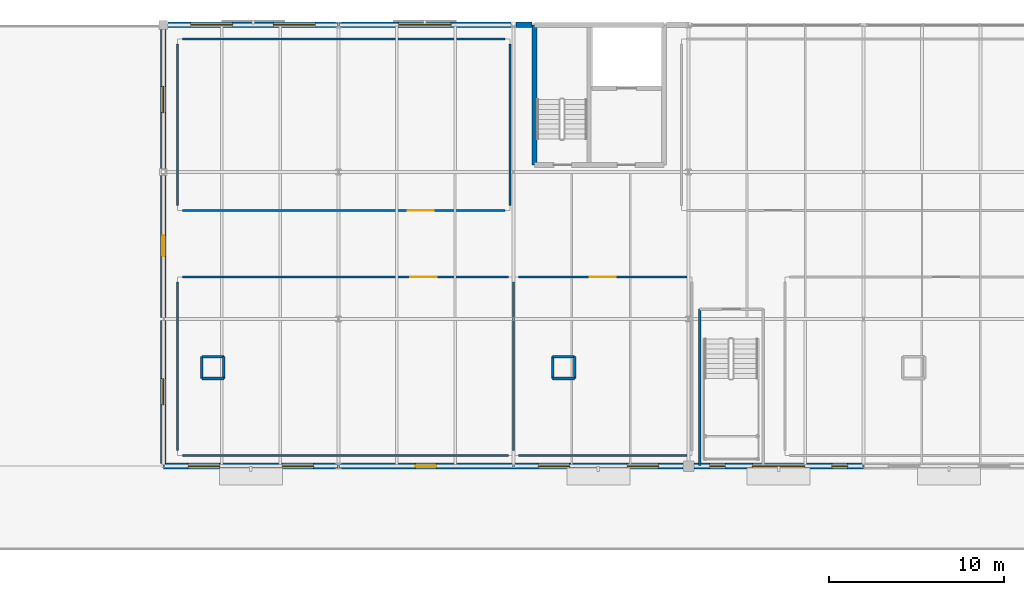
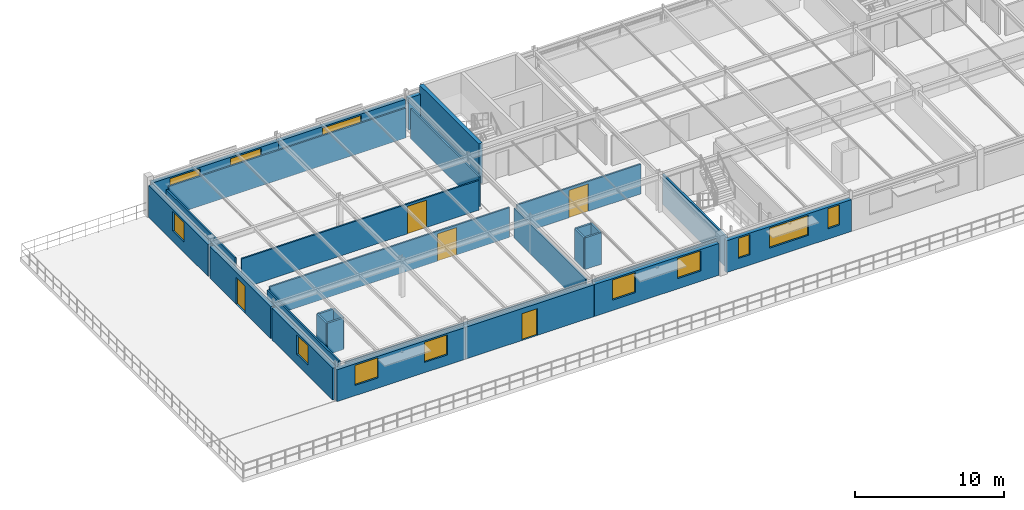
# One storey, part 16 of 23: 30 walls, 12 windows, 5 doors, 17 openings.
"""IFC4 building model written with IfcOpenShell, lengths in metres."""

from ifc_helpers import new_model, si_unit, derived_unit, direction, frame, frame_2d, origin, place, context, subcontext, project, spatial, rectangle, extrude, material, layer, layer_set, type_object, element, fill, save


model = new_model("IFC4")

# Units and contexts
model_context = context("Model", 3, precision=1e-05, world=origin(), true_north=direction((0.0, 1.0)))
body_context = subcontext(model_context, "Body", "Model", "MODEL_VIEW")
ifc_project = project(units=[si_unit("LENGTHUNIT", "METRE"), si_unit("AREAUNIT", "SQUARE_METRE"), si_unit("VOLUMEUNIT", "CUBIC_METRE"), si_unit("PLANEANGLEUNIT", "RADIAN"), si_unit("MASSUNIT", "GRAM", prefix="KILO"), derived_unit("THERMALTRANSMITTANCEUNIT", [(si_unit("POWERUNIT", "WATT"), 1), (si_unit("LENGTHUNIT", "METRE"), -2), (si_unit("THERMODYNAMICTEMPERATUREUNIT", "KELVIN"), -1)])], contexts=[model_context])

# Site, building, storey
site_placement = place(None, origin())
site = spatial("IfcSite", under=ifc_project, at=site_placement, CompositionType="ELEMENT")
building_placement = place(site_placement, origin())
building = spatial("IfcBuilding", under=site, at=building_placement, Name="Cinnabar Yard Market Hall", CompositionType="ELEMENT")
storey_placement = place(building_placement, frame((0.0, 0.0, 12.0)))
storey = spatial("IfcBuildingStorey", under=building, at=storey_placement, Name="L03", CompositionType="ELEMENT", Elevation=12.0)

# Walls
ifc_material_1 = material(Name="Acoustic steel-stud plasterboard", Category="steel")
ifc_layer_1 = layer(ifc_material_1, 0.1201171875)
ifc_layer_set_1 = layer_set([ifc_layer_1], Name="Acoustic steel-stud plasterboard")
wall_type_1 = type_object("IfcWallType", Name="WL-PT120", PredefinedType="PARTITIONING", material=ifc_layer_set_1)
wall_1_placement = place(storey_placement, frame((77.080078125, 113.39990234375, 0.0), z_axis=(0.0, 0.0, 1.0), x_axis=(1.0, 0.0, 0.0)))
element("IfcWall", 1, at=wall_1_placement, inside=storey, type_object=wall_type_1, Name="Partition Regional Cooking Masterclass Studio 301 south", PredefinedType="PARTITIONING", context=body_context, shape_type="SweptSolid", body=[
    extrude(rectangle(XDim=18.639892578125, YDim=0.1201171875, at=frame_2d((9.31982421875, 0.0), x_axis=(1.0, 0.0))), origin(), (0.0, 0.0, 1.0), 2.449951171875),
])
wall_2_placement = place(storey_placement, frame((96.0, 113.679931640625, 0.0), z_axis=(0.0, 0.0, 1.0), x_axis=(0.0, 1.0, 0.0)))
element("IfcWall", 2, at=wall_2_placement, inside=storey, type_object=wall_type_1, Name="Partition Regional Cooking Masterclass Studio 301 east", PredefinedType="PARTITIONING", context=body_context, shape_type="SweptSolid", body=[
    extrude(rectangle(XDim=9.64013671875, YDim=0.1201171875, at=frame_2d((4.820068359375, 0.0), x_axis=(1.0, 0.0))), origin(), (0.0, 0.0, 1.0), 2.449951171875),
])

# Wall, opening, door
wall_3_placement = place(storey_placement, frame((95.719970703125, 123.60009765625, 0.0), z_axis=(0.0, 0.0, 1.0), x_axis=(-1.0, 0.0, 0.0)))
wall_3 = element("IfcWall", 3, at=wall_3_placement, inside=storey, type_object=wall_type_1, Name="Partition Regional Cooking Masterclass Studio 301 north", PredefinedType="PARTITIONING", context=body_context, shape_type="SweptSolid", body=[
    extrude(rectangle(XDim=18.639892578125, YDim=0.1201171875, at=frame_2d((9.31982421875, 0.0), x_axis=(1.0, 0.0))), origin(), (0.0, 0.0, 1.0), 2.449951171875),
])
opening_1_placement = place(wall_3_placement, frame((4.113525390625, 0.0, 0.0)))
opening_1 = element("IfcOpeningElement", 4, at=opening_1_placement, cuts=wall_3, Name="Opening ID-176", PredefinedType="OPENING", context=body_context, shape_type="SweptSolid", body=[
    extrude(rectangle(XDim=1.5, YDim=2.25, at=frame_2d((0.75, 1.125), x_axis=(1.0, 0.0))), frame((0.0, 0.070068359375, 0.0), z_axis=(0.0, -1.0, 0.0), x_axis=(1.0, 0.0, 0.0)), (0.0, 0.0, 1.0), 0.14013671875),
])
ifc_material_2 = material(Name="Spotted gum timber and vision glass", Category="wood")
door_type_1 = type_object("IfcDoorType", Name="DR-D08", OperationType="NOTDEFINED", PredefinedType="DOOR", material=ifc_material_2)
door_1_placement = place(opening_1_placement, origin())
door_1 = element("IfcDoor", 5, at=door_1_placement, inside=storey, type_object=door_type_1, Name="Interior Door ID-176", OperationType="DOUBLE_SWING_LEFT", OverallHeight=2.25, OverallWidth=1.5, PredefinedType="DOOR", context=body_context, shape_type="SweptSolid", body=[
    extrude(rectangle(XDim=1.5, YDim=2.25, at=frame_2d((0.75, 1.125), x_axis=(1.0, 0.0))), frame((0.0, 0.02490234375, 0.0), z_axis=(0.0, -1.0, 0.0), x_axis=(1.0, 0.0, 0.0)), (0.0, 0.0, 1.0), 0.050048828125),
])
fill(opening_1, door_1)

# Walls
wall_4_placement = place(storey_placement, frame((76.800048828125, 123.320068359375, 0.0), z_axis=(0.0, 0.0, 1.0), x_axis=(0.0, -1.0, 0.0)))
element("IfcWall", 6, at=wall_4_placement, inside=storey, type_object=wall_type_1, Name="Partition Regional Cooking Masterclass Studio 301 west", PredefinedType="PARTITIONING", context=body_context, shape_type="SweptSolid", body=[
    extrude(rectangle(XDim=9.64013671875, YDim=0.1201171875, at=frame_2d((4.820068359375, 0.0), x_axis=(1.0, 0.0))), origin(), (0.0, 0.0, 1.0), 2.449951171875),
])
wall_5_placement = place(storey_placement, frame((96.280029296875, 113.39990234375, 0.0), z_axis=(0.0, 0.0, 1.0), x_axis=(1.0, 0.0, 0.0)))
element("IfcWall", 7, at=wall_5_placement, inside=storey, type_object=wall_type_1, Name="Partition Spice and Open-Hearth Masterclass Studio 302 south", PredefinedType="PARTITIONING", context=body_context, shape_type="SweptSolid", body=[
    extrude(rectangle(XDim=9.639892578125, YDim=0.1201171875, at=frame_2d((4.81982421875, 0.0), x_axis=(1.0, 0.0))), origin(), (0.0, 0.0, 1.0), 2.449951171875),
])

# Wall, opening, door
wall_6_placement = place(storey_placement, frame((105.919921875, 123.60009765625, 0.0), z_axis=(0.0, 0.0, 1.0), x_axis=(-1.0, 0.0, 0.0)))
wall_6 = element("IfcWall", 8, at=wall_6_placement, inside=storey, type_object=wall_type_1, Name="Partition Spice and Open-Hearth Masterclass Studio 302 north", PredefinedType="PARTITIONING", context=body_context, shape_type="SweptSolid", body=[
    extrude(rectangle(XDim=9.639892578125, YDim=0.1201171875, at=frame_2d((4.81982421875, 0.0), x_axis=(1.0, 0.0))), origin(), (0.0, 0.0, 1.0), 2.449951171875),
])
opening_2_placement = place(wall_6_placement, frame((4.070068359375, 0.0, 0.0)))
opening_2 = element("IfcOpeningElement", 9, at=opening_2_placement, cuts=wall_6, Name="Opening ID-177", PredefinedType="OPENING", context=body_context, shape_type="SweptSolid", body=[
    extrude(rectangle(XDim=1.5, YDim=2.25, at=frame_2d((0.75, 1.125), x_axis=(1.0, 0.0))), frame((0.0, 0.070068359375, 0.0), z_axis=(0.0, -1.0, 0.0), x_axis=(1.0, 0.0, 0.0)), (0.0, 0.0, 1.0), 0.14013671875),
])
door_2_placement = place(opening_2_placement, origin())
door_2 = element("IfcDoor", 10, at=door_2_placement, inside=storey, type_object=door_type_1, Name="Interior Door ID-177", OperationType="DOUBLE_SWING_RIGHT", OverallHeight=2.25, OverallWidth=1.5, PredefinedType="DOOR", context=body_context, shape_type="SweptSolid", body=[
    extrude(rectangle(XDim=1.5, YDim=2.25, at=frame_2d((0.75, 1.125), x_axis=(1.0, 0.0))), frame((0.0, 0.02490234375, 0.0), z_axis=(0.0, -1.0, 0.0), x_axis=(1.0, 0.0, 0.0)), (0.0, 0.0, 1.0), 0.050048828125),
])
fill(opening_2, door_2)

wall_7_placement = place(storey_placement, frame((77.080078125, 127.39990234375, 0.0), z_axis=(0.0, 0.0, 1.0), x_axis=(1.0, 0.0, 0.0)))
wall_7 = element("IfcWall", 11, at=wall_7_placement, inside=storey, type_object=wall_type_1, Name="Partition Culinary Faculty Workroom south", PredefinedType="PARTITIONING", context=body_context, shape_type="SweptSolid", body=[
    extrude(rectangle(XDim=18.43994140625, YDim=0.1201171875, at=frame_2d((9.219970703125, 0.0), x_axis=(1.0, 0.0))), origin(), (0.0, 0.0, 1.0), 2.449951171875),
])
opening_3_placement = place(wall_7_placement, frame((12.87451171875, 0.0, 0.0)))
opening_3 = element("IfcOpeningElement", 12, at=opening_3_placement, cuts=wall_7, Name="Opening ID-181", PredefinedType="OPENING", context=body_context, shape_type="SweptSolid", body=[
    extrude(rectangle(XDim=1.5, YDim=2.25, at=frame_2d((0.75, 1.125), x_axis=(1.0, 0.0))), frame((0.0, 0.070068359375, 0.0), z_axis=(0.0, -1.0, 0.0), x_axis=(1.0, 0.0, 0.0)), (0.0, 0.0, 1.0), 0.14013671875),
])
door_3_placement = place(opening_3_placement, origin())
door_3 = element("IfcDoor", 13, at=door_3_placement, inside=storey, type_object=door_type_1, Name="Interior Door ID-181", OperationType="DOUBLE_SWING_RIGHT", OverallHeight=2.25, OverallWidth=1.5, PredefinedType="DOOR", context=body_context, shape_type="SweptSolid", body=[
    extrude(rectangle(XDim=1.5, YDim=2.25, at=frame_2d((0.75, 1.125), x_axis=(1.0, 0.0))), frame((0.0, 0.02490234375, 0.0), z_axis=(0.0, -1.0, 0.0), x_axis=(1.0, 0.0, 0.0)), (0.0, 0.0, 1.0), 0.050048828125),
])
fill(opening_3, door_3)

# Walls
wall_8_placement = place(storey_placement, frame((95.800048828125, 127.679931640625, 0.0), z_axis=(0.0, 0.0, 1.0), x_axis=(0.0, 1.0, 0.0)))
element("IfcWall", 14, at=wall_8_placement, inside=storey, type_object=wall_type_1, Name="Partition Culinary Faculty Workroom east", PredefinedType="PARTITIONING", context=body_context, shape_type="SweptSolid", body=[
    extrude(rectangle(XDim=9.239990234375, YDim=0.1201171875, at=frame_2d((4.6201171875, 0.0), x_axis=(1.0, 0.0))), origin(), (0.0, 0.0, 1.0), 2.449951171875),
])
wall_9_placement = place(storey_placement, frame((95.52001953125, 137.199951171875, 0.0), z_axis=(0.0, 0.0, 1.0), x_axis=(-1.0, 0.0, 0.0)))
element("IfcWall", 15, at=wall_9_placement, inside=storey, type_object=wall_type_1, Name="Partition Culinary Faculty Workroom north", PredefinedType="PARTITIONING", context=body_context, shape_type="SweptSolid", body=[
    extrude(rectangle(XDim=18.43994140625, YDim=0.1201171875, at=frame_2d((9.219970703125, 0.0), x_axis=(1.0, 0.0))), origin(), (0.0, 0.0, 1.0), 2.449951171875),
])
wall_10_placement = place(storey_placement, frame((76.800048828125, 136.919921875, 0.0), z_axis=(0.0, 0.0, 1.0), x_axis=(0.0, -1.0, 0.0)))
element("IfcWall", 16, at=wall_10_placement, inside=storey, type_object=wall_type_1, Name="Partition Culinary Faculty Workroom west", PredefinedType="PARTITIONING", context=body_context, shape_type="SweptSolid", body=[
    extrude(rectangle(XDim=9.239990234375, YDim=0.1201171875, at=frame_2d((4.6201171875, 0.0), x_axis=(1.0, 0.0))), origin(), (0.0, 0.0, 1.0), 2.449951171875),
])
ifc_material_3 = material(Name="Fire-rated steel-stud plasterboard", Category="steel")
ifc_layer_2 = layer(ifc_material_3, 0.14990234375)
ifc_layer_set_2 = layer_set([ifc_layer_2], Name="Fire-rated steel-stud plasterboard")
wall_type_2 = type_object("IfcWallType", Name="WL-PT150", PredefinedType="PARTITIONING", material=ifc_layer_set_2)
wall_11_placement = place(storey_placement, frame((106.639892578125, 121.760009765625, 0.0), z_axis=(0.0, 0.0, 1.0), x_axis=(0.0, -1.0, 0.0)))
element("IfcWall", 17, at=wall_11_placement, inside=storey, type_object=wall_type_2, Name="Stair ST-F4 Shaft Wall W L03", PredefinedType="PARTITIONING", context=body_context, shape_type="SweptSolid", body=[
    extrude(rectangle(XDim=8.919921875, YDim=0.14990234375, at=frame_2d((4.4599609375, 0.0), x_axis=(1.0, 0.0))), origin(), (0.0, 0.0, 1.0), 2.489990234375),
])
for number, where, z_axis, x_axis, name in (
    (18, (78.199951171875, 117.800048828125, 0.0), (0.0, 0.0, 1.0), (1.0, 0.0, 0.0), "Service Shaft Wall L03-1-1"),
    (19, (79.449951171875, 117.800048828125, 0.0), (0.0, 0.0, 1.0), (0.0, 1.0, 0.0), "Service Shaft Wall L03-1-2"),
    (20, (79.449951171875, 119.050048828125, 0.0), (0.0, 0.0, 1.0), (-1.0, 0.0, 0.0), "Service Shaft Wall L03-1-3"),
    (21, (78.199951171875, 119.050048828125, 0.0), (0.0, 0.0, 1.0), (0.0, -1.0, 0.0), "Service Shaft Wall L03-1-4"),
    (22, (98.239990234375, 117.800048828125, 0.0), (0.0, 0.0, 1.0), (1.0, 0.0, 0.0), "Service Shaft Wall L03-2-1"),
    (23, (99.489990234375, 117.800048828125, 0.0), (0.0, 0.0, 1.0), (0.0, 1.0, 0.0), "Service Shaft Wall L03-2-2"),
    (24, (99.489990234375, 119.050048828125, 0.0), (0.0, 0.0, 1.0), (-1.0, 0.0, 0.0), "Service Shaft Wall L03-2-3"),
    (25, (98.239990234375, 119.050048828125, 0.0), (0.0, 0.0, 1.0), (0.0, -1.0, 0.0), "Service Shaft Wall L03-2-4"),
):
    element("IfcWall", number, at=place(storey_placement, frame(where, z_axis=z_axis, x_axis=x_axis)), inside=storey, type_object=wall_type_2, Name=name, PredefinedType="PARTITIONING", context=body_context, shape_type="SweptSolid", body=[
        extrude(rectangle(XDim=1.25, YDim=0.14990234375, at=frame_2d((0.625, 0.0), x_axis=(1.0, 0.0))), origin(), (0.0, 0.0, 1.0), 2.590087890625),
    ])
ifc_material_4 = material(Name="Concrete 40 MPa", Category="concrete")
ifc_layer_3 = layer(ifc_material_4, 0.300048828125)
ifc_layer_set_3 = layer_set([ifc_layer_3], Name="Concrete 40 MPa")
wall_type_3 = type_object("IfcWallType", Name="WL-W-CORE", PredefinedType="SHEAR", material=ifc_layer_set_3)
wall_12_placement = place(storey_placement, frame((97.199951171875, 138.0, 0.0), z_axis=(0.0, 0.0, 1.0), x_axis=(0.0, -1.0, 0.0)))
element("IfcWall", 26, at=wall_12_placement, inside=storey, type_object=wall_type_3, Name="Core C5 West Shear Wall L03", PredefinedType="SHEAR", context=body_context, shape_type="SweptSolid", body=[
    extrude(rectangle(XDim=8.0, YDim=0.300048828125, at=frame_2d((4.0, 0.0), x_axis=(1.0, 0.0))), origin(), (0.0, 0.0, 1.0), 3.300048828125),
])

# Wall, openings, windows
ifc_material_5 = material(Name="Cream limestone and Concrete 32 MPa", Category="masonry")
ifc_layer_4 = layer(ifc_material_5, 0.320068359375)
ifc_layer_set_4 = layer_set([ifc_layer_4], Name="Cream limestone and Concrete 32 MPa")
wall_type_4 = type_object("IfcWallType", Name="WL-W-EXT2", PredefinedType="SOLIDWALL", material=ifc_layer_set_4)
wall_13_placement = place(storey_placement, frame((76.010009765625, 112.800048828125, 0.0), z_axis=(0.0, 0.0, 1.0), x_axis=(1.0, 0.0, 0.0)))
wall_13 = element("IfcWall", 27, at=wall_13_placement, inside=storey, type_object=wall_type_4, Name="Wing South Wall L03 Bay 1", PredefinedType="SOLIDWALL", context=body_context, shape_type="SweptSolid", body=[
    extrude(rectangle(XDim=9.978271484375, YDim=0.320068359375, at=frame_2d((4.9892578125, 0.0), x_axis=(1.0, 0.0))), origin(), (0.0, 0.0, 1.0), 2.6201171875),
])
opening_4_placement = place(wall_13_placement, frame((1.39990234375, 0.0, 0.85009765625)))
opening_4 = element("IfcOpeningElement", 28, at=opening_4_placement, cuts=wall_13, Name="Opening W11", PredefinedType="OPENING", context=body_context, shape_type="SweptSolid", body=[
    extrude(rectangle(XDim=1.800048828125, YDim=1.64990234375, at=frame_2d((0.89990234375, 0.824951171875), x_axis=(1.0, 0.0))), frame((0.0, 0.169921875, 0.0), z_axis=(0.0, -1.0, 0.0), x_axis=(1.0, 0.0, 0.0)), (0.0, 0.0, 1.0), 0.340087890625),
])
opening_5_placement = place(wall_13_placement, frame((6.7783203125, 0.0, 0.85009765625)))
opening_5 = element("IfcOpeningElement", 29, at=opening_5_placement, cuts=wall_13, Name="Opening W11", PredefinedType="OPENING", context=body_context, shape_type="SweptSolid", body=[
    extrude(rectangle(XDim=1.800048828125, YDim=1.64990234375, at=frame_2d((0.89990234375, 0.824951171875), x_axis=(1.0, 0.0))), frame((0.0, 0.169921875, 0.0), z_axis=(0.0, -1.0, 0.0), x_axis=(1.0, 0.0, 0.0)), (0.0, 0.0, 1.0), 0.340087890625),
])
ifc_material_6 = material(Name="Upper Masterclass double glazing in bronze aluminium", Category="aluminium")
window_type_1 = type_object("IfcWindowType", Name="WN-W11", PartitioningType="SINGLE_PANEL", PredefinedType="WINDOW", material=ifc_material_6)
window_1_placement = place(opening_4_placement, origin())
window_1 = element("IfcWindow", 30, at=window_1_placement, inside=storey, type_object=window_type_1, Name="Window WN-V3S-L03-1A", OverallHeight=1.64990234375, OverallWidth=1.800048828125, PartitioningType="SINGLE_PANEL", PredefinedType="WINDOW", context=body_context, shape_type="SweptSolid", body=[
    extrude(rectangle(XDim=1.800048828125, YDim=1.64990234375, at=frame_2d((0.89990234375, 0.824951171875), x_axis=(1.0, 0.0))), frame((0.0, 0.030029296875, 0.0), z_axis=(0.0, -1.0, 0.0), x_axis=(1.0, 0.0, 0.0)), (0.0, 0.0, 1.0), 0.06005859375),
])
fill(opening_4, window_1)
window_2_placement = place(opening_5_placement, origin())
window_2 = element("IfcWindow", 31, at=window_2_placement, inside=storey, type_object=window_type_1, Name="Window WN-V3S-L03-1B", OverallHeight=1.64990234375, OverallWidth=1.800048828125, PartitioningType="SINGLE_PANEL", PredefinedType="WINDOW", context=body_context, shape_type="SweptSolid", body=[
    extrude(rectangle(XDim=1.800048828125, YDim=1.64990234375, at=frame_2d((0.89990234375, 0.824951171875), x_axis=(1.0, 0.0))), frame((0.0, 0.030029296875, 0.0), z_axis=(0.0, -1.0, 0.0), x_axis=(1.0, 0.0, 0.0)), (0.0, 0.0, 1.0), 0.06005859375),
])
fill(opening_5, window_2)

wall_14_placement = place(storey_placement, frame((85.989990234375, 138.0, 0.0), z_axis=(0.0, 0.0, 1.0), x_axis=(-1.0, 0.0, 0.0)))
wall_14 = element("IfcWall", 32, at=wall_14_placement, inside=storey, type_object=wall_type_4, Name="Wing North Wall L03 Bay 1", PredefinedType="SOLIDWALL", context=body_context, shape_type="SweptSolid", body=[
    extrude(rectangle(XDim=9.736083984375, YDim=0.320068359375, at=frame_2d((4.8681640625, 0.0), x_axis=(1.0, 0.0))), origin(), (0.0, 0.0, 1.0), 2.6201171875),
])
opening_6_placement = place(wall_14_placement, frame((1.300048828125, 0.0, 0.85009765625)))
opening_6 = element("IfcOpeningElement", 33, at=opening_6_placement, cuts=wall_14, Name="Opening W12", PredefinedType="OPENING", context=body_context, shape_type="SweptSolid", body=[
    extrude(rectangle(XDim=2.39990234375, YDim=1.64990234375, at=frame_2d((1.199951171875, 0.824951171875), x_axis=(1.0, 0.0))), frame((0.0, 0.169921875, 0.0), z_axis=(0.0, -1.0, 0.0), x_axis=(1.0, 0.0, 0.0)), (0.0, 0.0, 1.0), 0.340087890625),
])
opening_7_placement = place(wall_14_placement, frame((6.035888671875, 0.0, 0.85009765625)))
opening_7 = element("IfcOpeningElement", 34, at=opening_7_placement, cuts=wall_14, Name="Opening W12", PredefinedType="OPENING", context=body_context, shape_type="SweptSolid", body=[
    extrude(rectangle(XDim=2.39990234375, YDim=1.64990234375, at=frame_2d((1.199951171875, 0.824951171875), x_axis=(1.0, 0.0))), frame((0.0, 0.169921875, 0.0), z_axis=(0.0, -1.0, 0.0), x_axis=(1.0, 0.0, 0.0)), (0.0, 0.0, 1.0), 0.340087890625),
])
window_type_2 = type_object("IfcWindowType", Name="WN-W12", PartitioningType="SINGLE_PANEL", PredefinedType="WINDOW", material=ifc_material_6)
window_3_placement = place(opening_6_placement, origin())
window_3 = element("IfcWindow", 35, at=window_3_placement, inside=storey, type_object=window_type_2, Name="Window WN-V3N-L03-1A", OverallHeight=1.64990234375, OverallWidth=2.39990234375, PartitioningType="SINGLE_PANEL", PredefinedType="WINDOW", context=body_context, shape_type="SweptSolid", body=[
    extrude(rectangle(XDim=2.39990234375, YDim=1.64990234375, at=frame_2d((1.199951171875, 0.824951171875), x_axis=(1.0, 0.0))), frame((0.0, 0.030029296875, 0.0), z_axis=(0.0, -1.0, 0.0), x_axis=(1.0, 0.0, 0.0)), (0.0, 0.0, 1.0), 0.06005859375),
])
fill(opening_6, window_3)
window_4_placement = place(opening_7_placement, origin())
window_4 = element("IfcWindow", 36, at=window_4_placement, inside=storey, type_object=window_type_2, Name="Window WN-V3N-L03-1B", OverallHeight=1.64990234375, OverallWidth=2.39990234375, PartitioningType="SINGLE_PANEL", PredefinedType="WINDOW", context=body_context, shape_type="SweptSolid", body=[
    extrude(rectangle(XDim=2.39990234375, YDim=1.64990234375, at=frame_2d((1.199951171875, 0.824951171875), x_axis=(1.0, 0.0))), frame((0.0, 0.030029296875, 0.0), z_axis=(0.0, -1.0, 0.0), x_axis=(1.0, 0.0, 0.0)), (0.0, 0.0, 1.0), 0.06005859375),
])
fill(opening_7, window_4)

# Wall, opening, door
wall_15_placement = place(storey_placement, frame((86.01171875, 112.800048828125, 0.0), z_axis=(0.0, 0.0, 1.0), x_axis=(1.0, 0.0, 0.0)))
wall_15 = element("IfcWall", 37, at=wall_15_placement, inside=storey, type_object=wall_type_4, Name="Wing South Wall L03 Bay 2", PredefinedType="SOLIDWALL", context=body_context, shape_type="SweptSolid", body=[
    extrude(rectangle(XDim=9.978271484375, YDim=0.320068359375, at=frame_2d((4.9892578125, 0.0), x_axis=(1.0, 0.0))), origin(), (0.0, 0.0, 1.0), 2.6201171875),
])
opening_8_placement = place(wall_15_placement, frame((4.38916015625, 0.0, 0.0)))
opening_8 = element("IfcOpeningElement", 38, at=opening_8_placement, cuts=wall_15, Name="Opening ED-037", PredefinedType="OPENING", context=body_context, shape_type="SweptSolid", body=[
    extrude(rectangle(XDim=1.199951171875, YDim=2.199951171875, at=frame_2d((0.60009765625, 1.10009765625), x_axis=(1.0, 0.0))), frame((0.0, 0.169921875, 0.0), z_axis=(0.0, -1.0, 0.0), x_axis=(1.0, 0.0, 0.0)), (0.0, 0.0, 1.0), 0.340087890625),
])
ifc_material_7 = material(Name="Anodised bronze aluminium and laminated glass", Category="aluminium")
door_type_2 = type_object("IfcDoorType", Name="DR-D04", OperationType="NOTDEFINED", PredefinedType="DOOR", material=ifc_material_7)
door_4_placement = place(opening_8_placement, origin())
door_4 = element("IfcDoor", 39, at=door_4_placement, inside=storey, type_object=door_type_2, Name="Door ED-037", OperationType="SINGLE_SWING_LEFT", OverallHeight=2.199951171875, OverallWidth=1.199951171875, PredefinedType="DOOR", context=body_context, shape_type="SweptSolid", body=[
    extrude(rectangle(XDim=1.199951171875, YDim=2.199951171875, at=frame_2d((0.60009765625, 1.10009765625), x_axis=(1.0, 0.0))), frame((0.0, 0.02490234375, 0.0), z_axis=(0.0, -1.0, 0.0), x_axis=(1.0, 0.0, 0.0)), (0.0, 0.0, 1.0), 0.050048828125),
])
fill(opening_8, door_4)

# Wall, opening, window
wall_16_placement = place(storey_placement, frame((95.869384765625, 138.0, 0.0), z_axis=(0.0, 0.0, 1.0), x_axis=(-1.0, 0.0, 0.0)))
wall_16 = element("IfcWall", 40, at=wall_16_placement, inside=storey, type_object=wall_type_4, Name="Wing North Wall L03 Bay 2", PredefinedType="SOLIDWALL", context=body_context, shape_type="SweptSolid", body=[
    extrude(rectangle(XDim=9.859375, YDim=0.320068359375, at=frame_2d((4.9296875, 0.0), x_axis=(1.0, 0.0))), origin(), (0.0, 0.0, 1.0), 2.6201171875),
])
opening_9_placement = place(wall_16_placement, frame((3.4296875, 0.0, 0.85009765625)))
opening_9 = element("IfcOpeningElement", 41, at=opening_9_placement, cuts=wall_16, Name="Opening W13", PredefinedType="OPENING", context=body_context, shape_type="SweptSolid", body=[
    extrude(rectangle(XDim=3.0, YDim=1.64990234375, at=frame_2d((1.5, 0.824951171875), x_axis=(1.0, 0.0))), frame((0.0, 0.169921875, 0.0), z_axis=(0.0, -1.0, 0.0), x_axis=(1.0, 0.0, 0.0)), (0.0, 0.0, 1.0), 0.340087890625),
])
ifc_material_8 = material(Name="Upper Masterclass solar-control glazing", Category="glass")
window_type_3 = type_object("IfcWindowType", Name="WN-W13", PartitioningType="SINGLE_PANEL", PredefinedType="WINDOW", material=ifc_material_8)
window_5_placement = place(opening_9_placement, origin())
window_5 = element("IfcWindow", 42, at=window_5_placement, inside=storey, type_object=window_type_3, Name="Window WN-V3N-L03-2M", OverallHeight=1.64990234375, OverallWidth=3.0, PartitioningType="SINGLE_PANEL", PredefinedType="WINDOW", context=body_context, shape_type="SweptSolid", body=[
    extrude(rectangle(XDim=3.0, YDim=1.64990234375, at=frame_2d((1.5, 0.824951171875), x_axis=(1.0, 0.0))), frame((0.0, 0.030029296875, 0.0), z_axis=(0.0, -1.0, 0.0), x_axis=(1.0, 0.0, 0.0)), (0.0, 0.0, 1.0), 0.06005859375),
])
fill(opening_9, window_5)

# Wall, openings, windows
wall_17_placement = place(storey_placement, frame((96.010009765625, 112.800048828125, 0.0), z_axis=(0.0, 0.0, 1.0), x_axis=(1.0, 0.0, 0.0)))
wall_17 = element("IfcWall", 43, at=wall_17_placement, inside=storey, type_object=wall_type_4, Name="Wing South Wall L03 Bay 3", PredefinedType="SOLIDWALL", context=body_context, shape_type="SweptSolid", body=[
    extrude(rectangle(XDim=9.68603515625, YDim=0.320068359375, at=frame_2d((4.843017578125, 0.0), x_axis=(1.0, 0.0))), origin(), (0.0, 0.0, 1.0), 2.6201171875),
])
opening_10_placement = place(wall_17_placement, frame((1.39990234375, 0.0, 0.85009765625)))
opening_10 = element("IfcOpeningElement", 44, at=opening_10_placement, cuts=wall_17, Name="Opening W11", PredefinedType="OPENING", context=body_context, shape_type="SweptSolid", body=[
    extrude(rectangle(XDim=1.800048828125, YDim=1.64990234375, at=frame_2d((0.89990234375, 0.824951171875), x_axis=(1.0, 0.0))), frame((0.0, 0.169921875, 0.0), z_axis=(0.0, -1.0, 0.0), x_axis=(1.0, 0.0, 0.0)), (0.0, 0.0, 1.0), 0.340087890625),
])
opening_11_placement = place(wall_17_placement, frame((6.486083984375, 0.0, 0.85009765625)))
opening_11 = element("IfcOpeningElement", 45, at=opening_11_placement, cuts=wall_17, Name="Opening W11", PredefinedType="OPENING", context=body_context, shape_type="SweptSolid", body=[
    extrude(rectangle(XDim=1.800048828125, YDim=1.64990234375, at=frame_2d((0.89990234375, 0.824951171875), x_axis=(1.0, 0.0))), frame((0.0, 0.169921875, 0.0), z_axis=(0.0, -1.0, 0.0), x_axis=(1.0, 0.0, 0.0)), (0.0, 0.0, 1.0), 0.340087890625),
])
window_6_placement = place(opening_10_placement, origin())
window_6 = element("IfcWindow", 46, at=window_6_placement, inside=storey, type_object=window_type_1, Name="Window WN-V3S-L03-3A", OverallHeight=1.64990234375, OverallWidth=1.800048828125, PartitioningType="SINGLE_PANEL", PredefinedType="WINDOW", context=body_context, shape_type="SweptSolid", body=[
    extrude(rectangle(XDim=1.800048828125, YDim=1.64990234375, at=frame_2d((0.89990234375, 0.824951171875), x_axis=(1.0, 0.0))), frame((0.0, 0.030029296875, 0.0), z_axis=(0.0, -1.0, 0.0), x_axis=(1.0, 0.0, 0.0)), (0.0, 0.0, 1.0), 0.06005859375),
])
fill(opening_10, window_6)
window_7_placement = place(opening_11_placement, origin())
window_7 = element("IfcWindow", 47, at=window_7_placement, inside=storey, type_object=window_type_1, Name="Window WN-V3S-L03-3B", OverallHeight=1.64990234375, OverallWidth=1.800048828125, PartitioningType="SINGLE_PANEL", PredefinedType="WINDOW", context=body_context, shape_type="SweptSolid", body=[
    extrude(rectangle(XDim=1.800048828125, YDim=1.64990234375, at=frame_2d((0.89990234375, 0.824951171875), x_axis=(1.0, 0.0))), frame((0.0, 0.030029296875, 0.0), z_axis=(0.0, -1.0, 0.0), x_axis=(1.0, 0.0, 0.0)), (0.0, 0.0, 1.0), 0.06005859375),
])
fill(opening_11, window_7)

# Wall
wall_18_placement = place(storey_placement, frame((97.050048828125, 138.0, 0.0), z_axis=(0.0, 0.0, 1.0), x_axis=(-1.0, 0.0, 0.0)))
element("IfcWall", 48, at=wall_18_placement, inside=storey, type_object=wall_type_4, Name="Wing North Flank L03 Bay 3W", PredefinedType="SOLIDWALL", context=body_context, shape_type="SweptSolid", body=[
    extrude(rectangle(XDim=0.91943359375, YDim=0.320068359375, at=frame_2d((0.459716796875, 0.0), x_axis=(1.0, 0.0))), origin(), (0.0, 0.0, 1.0), 2.6201171875),
])

# Wall, openings, windows
wall_19_placement = place(storey_placement, frame((106.303955078125, 112.800048828125, 0.0), z_axis=(0.0, 0.0, 1.0), x_axis=(1.0, 0.0, 0.0)))
wall_19 = element("IfcWall", 49, at=wall_19_placement, inside=storey, type_object=wall_type_4, Name="Wing South Wall L03 Bay 4", PredefinedType="SOLIDWALL", context=body_context, shape_type="SweptSolid", body=[
    extrude(rectangle(XDim=9.68603515625, YDim=0.320068359375, at=frame_2d((4.843017578125, 0.0), x_axis=(1.0, 0.0))), origin(), (0.0, 0.0, 1.0), 2.6201171875),
])
opening_12_placement = place(wall_19_placement, frame((3.343017578125, 0.0, 0.85009765625)))
opening_12 = element("IfcOpeningElement", 50, at=opening_12_placement, cuts=wall_19, Name="Opening W13", PredefinedType="OPENING", context=body_context, shape_type="SweptSolid", body=[
    extrude(rectangle(XDim=3.0, YDim=1.64990234375, at=frame_2d((1.5, 0.824951171875), x_axis=(1.0, 0.0))), frame((0.0, 0.169921875, 0.0), z_axis=(0.0, -1.0, 0.0), x_axis=(1.0, 0.0, 0.0)), (0.0, 0.0, 1.0), 0.340087890625),
])
opening_13_placement = place(wall_19_placement, frame((0.89990234375, 0.0, 0.85009765625)))
opening_13 = element("IfcOpeningElement", 51, at=opening_13_placement, cuts=wall_19, Name="Opening W14", PredefinedType="OPENING", context=body_context, shape_type="SweptSolid", body=[
    extrude(rectangle(XDim=0.89990234375, YDim=1.64990234375, at=frame_2d((0.449951171875, 0.824951171875), x_axis=(1.0, 0.0))), frame((0.0, 0.169921875, 0.0), z_axis=(0.0, -1.0, 0.0), x_axis=(1.0, 0.0, 0.0)), (0.0, 0.0, 1.0), 0.340087890625),
])
opening_14_placement = place(wall_19_placement, frame((7.885986328125, 0.0, 0.85009765625)))
opening_14 = element("IfcOpeningElement", 52, at=opening_14_placement, cuts=wall_19, Name="Opening W14", PredefinedType="OPENING", context=body_context, shape_type="SweptSolid", body=[
    extrude(rectangle(XDim=0.89990234375, YDim=1.64990234375, at=frame_2d((0.449951171875, 0.824951171875), x_axis=(1.0, 0.0))), frame((0.0, 0.169921875, 0.0), z_axis=(0.0, -1.0, 0.0), x_axis=(1.0, 0.0, 0.0)), (0.0, 0.0, 1.0), 0.340087890625),
])
window_8_placement = place(opening_12_placement, origin())
window_8 = element("IfcWindow", 53, at=window_8_placement, inside=storey, type_object=window_type_3, Name="Window WN-V3S-L03-4M", OverallHeight=1.64990234375, OverallWidth=3.0, PartitioningType="SINGLE_PANEL", PredefinedType="WINDOW", context=body_context, shape_type="SweptSolid", body=[
    extrude(rectangle(XDim=3.0, YDim=1.64990234375, at=frame_2d((1.5, 0.824951171875), x_axis=(1.0, 0.0))), frame((0.0, 0.030029296875, 0.0), z_axis=(0.0, -1.0, 0.0), x_axis=(1.0, 0.0, 0.0)), (0.0, 0.0, 1.0), 0.06005859375),
])
fill(opening_12, window_8)
ifc_material_9 = material(Name="Upper Belvedere lancet glazing", Category="glass")
window_type_4 = type_object("IfcWindowType", Name="WN-W14", PartitioningType="SINGLE_PANEL", PredefinedType="WINDOW", material=ifc_material_9)
window_9_placement = place(opening_13_placement, origin())
window_9 = element("IfcWindow", 54, at=window_9_placement, inside=storey, type_object=window_type_4, Name="Window WN-V3S-L03-4L", OverallHeight=1.64990234375, OverallWidth=0.89990234375, PartitioningType="SINGLE_PANEL", PredefinedType="WINDOW", context=body_context, shape_type="SweptSolid", body=[
    extrude(rectangle(XDim=0.89990234375, YDim=1.64990234375, at=frame_2d((0.449951171875, 0.824951171875), x_axis=(1.0, 0.0))), frame((0.0, 0.030029296875, 0.0), z_axis=(0.0, -1.0, 0.0), x_axis=(1.0, 0.0, 0.0)), (0.0, 0.0, 1.0), 0.06005859375),
])
fill(opening_13, window_9)
window_10_placement = place(opening_14_placement, origin())
window_10 = element("IfcWindow", 55, at=window_10_placement, inside=storey, type_object=window_type_4, Name="Window WN-V3S-L03-4R", OverallHeight=1.64990234375, OverallWidth=0.89990234375, PartitioningType="SINGLE_PANEL", PredefinedType="WINDOW", context=body_context, shape_type="SweptSolid", body=[
    extrude(rectangle(XDim=0.89990234375, YDim=1.64990234375, at=frame_2d((0.449951171875, 0.824951171875), x_axis=(1.0, 0.0))), frame((0.0, 0.030029296875, 0.0), z_axis=(0.0, -1.0, 0.0), x_axis=(1.0, 0.0, 0.0)), (0.0, 0.0, 1.0), 0.06005859375),
])
fill(opening_14, window_10)

# Wall, opening, window
wall_20_placement = place(storey_placement, frame((76.0, 121.119873046875, 0.0), z_axis=(0.0, 0.0, 1.0), x_axis=(0.0, -1.0, 0.0)))
wall_20 = element("IfcWall", 56, at=wall_20_placement, inside=storey, type_object=wall_type_4, Name="Wing West End Wall L03 Seg 1", PredefinedType="SOLIDWALL", context=body_context, shape_type="SweptSolid", body=[
    extrude(rectangle(XDim=8.164794921875, YDim=0.320068359375, at=frame_2d((4.08251953125, 0.0), x_axis=(1.0, 0.0))), origin(), (0.0, 0.0, 1.0), 2.6201171875),
])
opening_15_placement = place(wall_20_placement, frame((3.33251953125, 0.0, 0.85009765625)))
opening_15 = element("IfcOpeningElement", 57, at=opening_15_placement, cuts=wall_20, Name="Opening W03", PredefinedType="OPENING", context=body_context, shape_type="SweptSolid", body=[
    extrude(rectangle(XDim=1.5, YDim=1.60009765625, at=frame_2d((0.75, 0.800048828125), x_axis=(1.0, 0.0))), frame((0.0, 0.169921875, 0.0), z_axis=(0.0, -1.0, 0.0), x_axis=(1.0, 0.0, 0.0)), (0.0, 0.0, 1.0), 0.340087890625),
])
ifc_material_10 = material(Name="Low-E double glazing in bronze aluminium", Category="aluminium")
window_type_5 = type_object("IfcWindowType", Name="WN-W03", PartitioningType="SINGLE_PANEL", PredefinedType="WINDOW", material=ifc_material_10)
window_11_placement = place(opening_15_placement, origin())
window_11 = element("IfcWindow", 58, at=window_11_placement, inside=storey, type_object=window_type_5, Name="Window WN-V3W-L03-1", OverallHeight=1.60009765625, OverallWidth=1.5, PartitioningType="SINGLE_PANEL", PredefinedType="WINDOW", context=body_context, shape_type="SweptSolid", body=[
    extrude(rectangle(XDim=1.5, YDim=1.60009765625, at=frame_2d((0.75, 0.800048828125), x_axis=(1.0, 0.0))), frame((0.0, 0.030029296875, 0.0), z_axis=(0.0, -1.0, 0.0), x_axis=(1.0, 0.0, 0.0)), (0.0, 0.0, 1.0), 0.06005859375),
])
fill(opening_15, window_11)

# Wall, opening, door
wall_21_placement = place(storey_placement, frame((76.0, 129.469482421875, 0.0), z_axis=(0.0, 0.0, 1.0), x_axis=(0.0, -1.0, 0.0)))
wall_21 = element("IfcWall", 59, at=wall_21_placement, inside=storey, type_object=wall_type_4, Name="Wing West End Wall L03 Seg 2", PredefinedType="SOLIDWALL", context=body_context, shape_type="SweptSolid", body=[
    extrude(rectangle(XDim=8.189208984375, YDim=0.320068359375, at=frame_2d((4.0947265625, 0.0), x_axis=(1.0, 0.0))), origin(), (0.0, 0.0, 1.0), 2.6201171875),
])
opening_16_placement = place(wall_21_placement, frame((3.49462890625, 0.0, 0.0)))
opening_16 = element("IfcOpeningElement", 60, at=opening_16_placement, cuts=wall_21, Name="Opening ED-039", PredefinedType="OPENING", context=body_context, shape_type="SweptSolid", body=[
    extrude(rectangle(XDim=1.199951171875, YDim=2.199951171875, at=frame_2d((0.60009765625, 1.10009765625), x_axis=(1.0, 0.0))), frame((0.0, 0.169921875, 0.0), z_axis=(0.0, -1.0, 0.0), x_axis=(1.0, 0.0, 0.0)), (0.0, 0.0, 1.0), 0.340087890625),
])
door_5_placement = place(opening_16_placement, origin())
door_5 = element("IfcDoor", 61, at=door_5_placement, inside=storey, type_object=door_type_2, Name="Door ED-039", OperationType="SINGLE_SWING_LEFT", OverallHeight=2.199951171875, OverallWidth=1.199951171875, PredefinedType="DOOR", context=body_context, shape_type="SweptSolid", body=[
    extrude(rectangle(XDim=1.199951171875, YDim=2.199951171875, at=frame_2d((0.60009765625, 1.10009765625), x_axis=(1.0, 0.0))), frame((0.0, 0.02490234375, 0.0), z_axis=(0.0, -1.0, 0.0), x_axis=(1.0, 0.0, 0.0)), (0.0, 0.0, 1.0), 0.050048828125),
])
fill(opening_16, door_5)

# Wall, opening, window
wall_22_placement = place(storey_placement, frame((76.0, 137.74609375, 0.0), z_axis=(0.0, 0.0, 1.0), x_axis=(0.0, -1.0, 0.0)))
wall_22 = element("IfcWall", 62, at=wall_22_placement, inside=storey, type_object=wall_type_4, Name="Wing West End Wall L03 Seg 3", PredefinedType="SOLIDWALL", context=body_context, shape_type="SweptSolid", body=[
    extrude(rectangle(XDim=8.015625, YDim=0.320068359375, at=frame_2d((4.0078125, 0.0), x_axis=(1.0, 0.0))), origin(), (0.0, 0.0, 1.0), 2.6201171875),
])
opening_17_placement = place(wall_22_placement, frame((3.2578125, 0.0, 0.85009765625)))
opening_17 = element("IfcOpeningElement", 63, at=opening_17_placement, cuts=wall_22, Name="Opening W03", PredefinedType="OPENING", context=body_context, shape_type="SweptSolid", body=[
    extrude(rectangle(XDim=1.5, YDim=1.60009765625, at=frame_2d((0.75, 0.800048828125), x_axis=(1.0, 0.0))), frame((0.0, 0.169921875, 0.0), z_axis=(0.0, -1.0, 0.0), x_axis=(1.0, 0.0, 0.0)), (0.0, 0.0, 1.0), 0.340087890625),
])
window_12_placement = place(opening_17_placement, origin())
window_12 = element("IfcWindow", 64, at=window_12_placement, inside=storey, type_object=window_type_5, Name="Window WN-V3W-L03-3", OverallHeight=1.60009765625, OverallWidth=1.5, PartitioningType="SINGLE_PANEL", PredefinedType="WINDOW", context=body_context, shape_type="SweptSolid", body=[
    extrude(rectangle(XDim=1.5, YDim=1.60009765625, at=frame_2d((0.75, 0.800048828125), x_axis=(1.0, 0.0))), frame((0.0, 0.030029296875, 0.0), z_axis=(0.0, -1.0, 0.0), x_axis=(1.0, 0.0, 0.0)), (0.0, 0.0, 1.0), 0.06005859375),
])
fill(opening_17, window_12)

save(model, "model.ifc")
